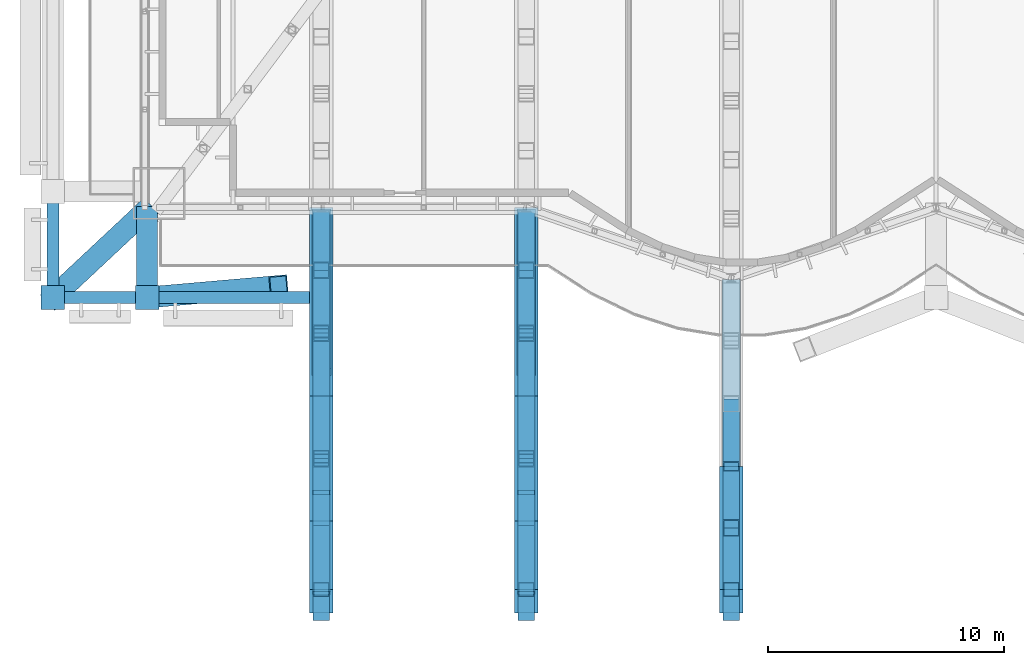
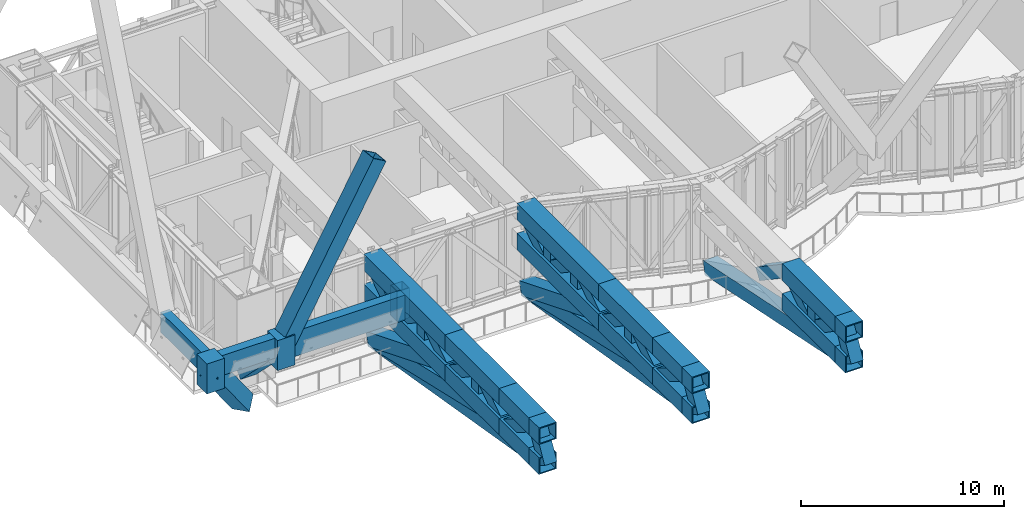
# One storey, part 5 of 30: 57 members, 3 beams.
"""IFC4 building model written with IfcOpenShell, lengths in metres."""

from ifc_helpers import new_model, si_unit, direction, frame, origin, origin_2d, place, context, subcontext, project, spatial, rectangle, hollow_rectangle, extrude, material, material_profile, profile_set, type_object, element, save


model = new_model("IFC4")

# Units and contexts
model_context = context("Model", 3, precision=1e-05, world=origin(), true_north=direction((0.0, 1.0)))
body_context = subcontext(model_context, "Body", "Model", "MODEL_VIEW")
ifc_project = project(units=[si_unit("LENGTHUNIT", "METRE"), si_unit("AREAUNIT", "SQUARE_METRE"), si_unit("VOLUMEUNIT", "CUBIC_METRE"), si_unit("PLANEANGLEUNIT", "RADIAN"), si_unit("MASSUNIT", "GRAM", prefix="KILO")], contexts=[model_context])

# Site, building, storey
site_placement = place(None, origin())
site = spatial("IfcSite", under=ifc_project, at=site_placement, CompositionType="ELEMENT")
building_placement = place(site_placement, origin())
building = spatial("IfcBuilding", under=site, at=building_placement, Name="Bicima Exchange Tower", CompositionType="ELEMENT")
storey_placement = place(building_placement, frame((0.0, 0.0, 287.60009765625)))
storey = spatial("IfcBuildingStorey", under=building, at=storey_placement, Name="L65", CompositionType="ELEMENT", Elevation=287.60009765625)

# Beams
ifc_material_1 = material(Name="Steel ASTM A572 Gr 50", Category="steel")
ifc_material_profile_1 = material_profile(ifc_material_1, hollow_rectangle(XDim=0.5, YDim=1.199951171875, WallThickness=0.0400390625, at=origin_2d()))
ifc_profile_set_1 = profile_set([ifc_material_profile_1], Name="Steel ASTM A572 Gr 50")
beam_type_1 = type_object("IfcBeamType", Name="Belt girder BOX 500x1200x40", PredefinedType="BEAM", material=ifc_profile_set_1)
beam_1_placement = place(storey_placement, frame((-37.5, -28.900634765625, 4.64990234375), z_axis=(1.0, 0.0, 0.0), x_axis=(0.0, 1.0, 0.0)))
element("IfcBeam", 1, at=beam_1_placement, inside=storey, type_object=beam_type_1, Name="Belt girder", PredefinedType="BEAM", context=body_context, shape_type="SweptSolid", body=[
    extrude(hollow_rectangle(XDim=0.5, YDim=1.199951171875, WallThickness=0.0400390625, at=origin_2d()), origin(), (0.0, 0.0, 1.0), 4.0),
])
beam_2_placement = place(storey_placement, frame((-37.5, -24.400634765625, 4.64990234375), z_axis=(0.0, -1.0, 0.0), x_axis=(1.0, 0.0, 0.0)))
element("IfcBeam", 2, at=beam_2_placement, inside=storey, type_object=beam_type_1, Name="Belt girder", PredefinedType="BEAM", context=body_context, shape_type="SweptSolid", body=[
    extrude(hollow_rectangle(XDim=0.5, YDim=1.199951171875, WallThickness=0.0400390625, at=origin_2d()), origin(), (0.0, 0.0, 1.0), 4.5),
])
ifc_material_profile_2 = material_profile(ifc_material_1, hollow_rectangle(XDim=0.5, YDim=1.5, WallThickness=0.050048828125, at=origin_2d()))
ifc_profile_set_2 = profile_set([ifc_material_profile_2], Name="Steel ASTM A572 Gr 50")
beam_type_2 = type_object("IfcBeamType", Name="Belt girder BOX 500x1500x50", PredefinedType="BEAM", material=ifc_profile_set_2)
beam_3_placement = place(storey_placement, frame((-33.5, -28.900634765625, 4.5), z_axis=(1.0, 0.0, 0.0), x_axis=(0.0, 1.0, 0.0)))
element("IfcBeam", 3, at=beam_3_placement, inside=storey, type_object=beam_type_2, Name="Belt girder", PredefinedType="BEAM", context=body_context, shape_type="SweptSolid", body=[
    extrude(hollow_rectangle(XDim=0.5, YDim=1.5, WallThickness=0.050048828125, at=origin_2d()), origin(), (0.0, 0.0, 1.0), 6.89990234375),
])

# Members
ifc_material_profile_3 = material_profile(ifc_material_1, hollow_rectangle(XDim=0.89990234375, YDim=0.89990234375, WallThickness=0.050048828125, at=origin_2d()))
ifc_profile_set_3 = profile_set([ifc_material_profile_3], Name="Steel ASTM A572 Gr 50")
member_type_1 = type_object("IfcMemberType", Name="Exo mega brace BOX 900x900x50", PredefinedType="BRACE", material=ifc_profile_set_3)
member_1_placement = place(storey_placement, frame((-33.5, -28.900634765625, 4.5), z_axis=(0.520687826351, 0.04546825787, 0.852535527128), x_axis=(-0.086992405552, 0.996208974752, 0.0)))
element("IfcMember", 4, at=member_1_placement, inside=storey, type_object=member_type_1, Name="Exo mega brace front", PredefinedType="BRACE", context=body_context, shape_type="SweptSolid", body=[
    extrude(hollow_rectangle(XDim=0.89990234375, YDim=0.89990234375, WallThickness=0.050048828125, at=origin_2d()), origin(), (0.0, 0.0, 1.0), 10.722900390625),
])
ifc_material_2 = material(Name="Cast steel ASTM A216 Gr WCB", Category="steel")
ifc_material_profile_4 = material_profile(ifc_material_2, rectangle(XDim=1.0, YDim=1.0, at=origin_2d()))
ifc_profile_set_4 = profile_set([ifc_material_profile_4], Name="Cast steel ASTM A216 Gr WCB")
member_type_2 = type_object("IfcMemberType", Name="Exo node block", PredefinedType="POST", material=ifc_profile_set_4)
for number, where, z_axis, x_axis, name in (
    (5, (-37.5, -28.900634765625, 3.449951171875), (0.0, 0.0, 1.0), (1.0, 0.0, 0.0), "Exo node block"),
    (6, (-33.5, -28.900634765625, 3.449951171875), (0.0, 0.0, 1.0), (1.0, 0.0, 0.0), "Exo node block"),
):
    element("IfcMember", number, at=place(storey_placement, frame(where, z_axis=z_axis, x_axis=x_axis)), inside=storey, type_object=member_type_2, Name=name, PredefinedType="POST", context=body_context, shape_type="SweptSolid", body=[
        extrude(rectangle(XDim=1.0, YDim=1.0, at=origin_2d()), origin(), (0.0, 0.0, 1.0), 1.800048828125),
    ])
member_type_3 = type_object("IfcMemberType", Name="Exo outrigger stub BOX 900x900x50", PredefinedType="STRUT", material=ifc_profile_set_3)
member_2_placement = place(storey_placement, frame((-33.565673828125, -25.218994140625, -1.08837890625), z_axis=(-0.506808187845, -0.474257987757, 0.71987833818), x_axis=(0.683270143381, -0.730165673779, 0.0)))
element("IfcMember", 7, at=member_2_placement, inside=storey, type_object=member_type_3, Name="Exo outrigger stub", PredefinedType="STRUT", context=body_context, shape_type="SweptSolid", body=[
    extrude(hollow_rectangle(XDim=0.89990234375, YDim=0.89990234375, WallThickness=0.050048828125, at=origin_2d()), origin(), (0.0, 0.0, 1.0), 7.762939453125),
])
member_3_placement = place(storey_placement, frame((-33.5, -25.360595703125, 0.9599609375), z_axis=(0.0, -0.707106781187, 0.707106781187), x_axis=(1.0, 0.0, 0.0)))
element("IfcMember", 8, at=member_3_placement, inside=storey, type_object=member_type_3, Name="Exo outrigger stub", PredefinedType="STRUT", context=body_context, shape_type="SweptSolid", body=[
    extrude(hollow_rectangle(XDim=0.89990234375, YDim=0.89990234375, WallThickness=0.050048828125, at=origin_2d()), origin(), (0.0, 0.0, 1.0), 5.00634765625),
])
ifc_material_profile_5 = material_profile(ifc_material_1, hollow_rectangle(XDim=1.0, YDim=1.0, WallThickness=0.06005859375, at=origin_2d()))
ifc_profile_set_5 = profile_set([ifc_material_profile_5], Name="Steel ASTM A572 Gr 50")
member_type_4 = type_object("IfcMemberType", Name="Pool cantilever truss chord BOX 1000x1000x60", PredefinedType="CHORD", material=ifc_profile_set_5)
for number, where, z_axis, x_axis, name in (
    (9, (-26.10009765625, -25.08203125, 4.75), (0.0, -1.0, 0.0), (1.0, 0.0, 0.0), "Top chord"),
    (10, (-26.10009765625, -25.08203125, 2.949951171875), (0.0, -1.0, 0.0), (1.0, 0.0, 0.0), "Bottom chord"),
):
    element("IfcMember", number, at=place(storey_placement, frame(where, z_axis=z_axis, x_axis=x_axis)), inside=storey, type_object=member_type_4, Name=name, PredefinedType="CHORD", context=body_context, shape_type="SweptSolid", body=[
        extrude(hollow_rectangle(XDim=1.0, YDim=1.0, WallThickness=0.06005859375, at=origin_2d()), origin(), (0.0, 0.0, 1.0), 8.0),
    ])
for number, where, z_axis, x_axis, name in (
    (11, (-26.10009765625, -33.08203125, 4.75), (0.0, -1.0, 0.0), (1.0, 0.0, 0.0), "Top chord"),
    (12, (-26.10009765625, -33.08203125, 2.949951171875), (0.0, -1.0, 0.0), (1.0, 0.0, 0.0), "Bottom chord"),
):
    element("IfcMember", number, at=place(storey_placement, frame(where, z_axis=z_axis, x_axis=x_axis)), inside=storey, type_object=member_type_4, Name=name, PredefinedType="CHORD", context=body_context, shape_type="SweptSolid", body=[
        extrude(hollow_rectangle(XDim=1.0, YDim=1.0, WallThickness=0.06005859375, at=origin_2d()), origin(), (0.0, 0.0, 1.0), 5.313232421875),
    ])
for number, where, z_axis, x_axis, name in (
    (13, (-26.10009765625, -38.395263671875, 4.75), (0.0, -1.0, 0.0), (1.0, 0.0, 0.0), "Top chord"),
    (14, (-26.10009765625, -38.395263671875, 2.949951171875), (0.0, -1.0, 0.0), (1.0, 0.0, 0.0), "Bottom chord"),
):
    element("IfcMember", number, at=place(storey_placement, frame(where, z_axis=z_axis, x_axis=x_axis)), inside=storey, type_object=member_type_4, Name=name, PredefinedType="CHORD", context=body_context, shape_type="SweptSolid", body=[
        extrude(hollow_rectangle(XDim=1.0, YDim=1.0, WallThickness=0.06005859375, at=origin_2d()), origin(), (0.0, 0.0, 1.0), 2.90576171875),
    ])
for number, where, z_axis, x_axis, name in (
    (15, (-26.10009765625, -41.301025390625, 4.75), (0.0, -1.0, 0.0), (1.0, 0.0, 0.0), "Top chord"),
    (16, (-26.10009765625, -41.301025390625, 2.949951171875), (0.0, -1.0, 0.0), (1.0, 0.0, 0.0), "Bottom chord"),
):
    element("IfcMember", number, at=place(storey_placement, frame(where, z_axis=z_axis, x_axis=x_axis)), inside=storey, type_object=member_type_4, Name=name, PredefinedType="CHORD", context=body_context, shape_type="SweptSolid", body=[
        extrude(hollow_rectangle(XDim=1.0, YDim=1.0, WallThickness=0.06005859375, at=origin_2d()), origin(), (0.0, 0.0, 1.0), 1.0),
    ])
for number, where, z_axis, x_axis, name in (
    (17, (-17.39990234375, -25.08203125, 4.75), (0.0, -1.0, 0.0), (1.0, 0.0, 0.0), "Top chord"),
    (18, (-17.39990234375, -25.08203125, 2.949951171875), (0.0, -1.0, 0.0), (1.0, 0.0, 0.0), "Bottom chord"),
):
    element("IfcMember", number, at=place(storey_placement, frame(where, z_axis=z_axis, x_axis=x_axis)), inside=storey, type_object=member_type_4, Name=name, PredefinedType="CHORD", context=body_context, shape_type="SweptSolid", body=[
        extrude(hollow_rectangle(XDim=1.0, YDim=1.0, WallThickness=0.06005859375, at=origin_2d()), origin(), (0.0, 0.0, 1.0), 8.0),
    ])
for number, where, z_axis, x_axis, name in (
    (19, (-17.39990234375, -33.08203125, 4.75), (0.0, -1.0, 0.0), (1.0, 0.0, 0.0), "Top chord"),
    (20, (-17.39990234375, -33.08203125, 2.949951171875), (0.0, -1.0, 0.0), (1.0, 0.0, 0.0), "Bottom chord"),
):
    element("IfcMember", number, at=place(storey_placement, frame(where, z_axis=z_axis, x_axis=x_axis)), inside=storey, type_object=member_type_4, Name=name, PredefinedType="CHORD", context=body_context, shape_type="SweptSolid", body=[
        extrude(hollow_rectangle(XDim=1.0, YDim=1.0, WallThickness=0.06005859375, at=origin_2d()), origin(), (0.0, 0.0, 1.0), 5.313232421875),
    ])
for number, where, z_axis, x_axis, name in (
    (21, (-17.39990234375, -38.395263671875, 4.75), (0.0, -1.0, 0.0), (1.0, 0.0, 0.0), "Top chord"),
    (22, (-17.39990234375, -38.395263671875, 2.949951171875), (0.0, -1.0, 0.0), (1.0, 0.0, 0.0), "Bottom chord"),
):
    element("IfcMember", number, at=place(storey_placement, frame(where, z_axis=z_axis, x_axis=x_axis)), inside=storey, type_object=member_type_4, Name=name, PredefinedType="CHORD", context=body_context, shape_type="SweptSolid", body=[
        extrude(hollow_rectangle(XDim=1.0, YDim=1.0, WallThickness=0.06005859375, at=origin_2d()), origin(), (0.0, 0.0, 1.0), 2.90576171875),
    ])
for number, where, z_axis, x_axis, name in (
    (23, (-17.39990234375, -41.301025390625, 4.75), (0.0, -1.0, 0.0), (1.0, 0.0, 0.0), "Top chord"),
    (24, (-17.39990234375, -41.301025390625, 2.949951171875), (0.0, -1.0, 0.0), (1.0, 0.0, 0.0), "Bottom chord"),
):
    element("IfcMember", number, at=place(storey_placement, frame(where, z_axis=z_axis, x_axis=x_axis)), inside=storey, type_object=member_type_4, Name=name, PredefinedType="CHORD", context=body_context, shape_type="SweptSolid", body=[
        extrude(hollow_rectangle(XDim=1.0, YDim=1.0, WallThickness=0.06005859375, at=origin_2d()), origin(), (0.0, 0.0, 1.0), 1.0),
    ])
for number, where, z_axis, x_axis, name in (
    (25, (-8.699951171875, -36.072998046875, 4.75), (0.0, -1.0, 0.0), (1.0, 0.0, 0.0), "Top chord"),
    (26, (-8.699951171875, -36.072998046875, 2.949951171875), (0.0, -1.0, 0.0), (1.0, 0.0, 0.0), "Bottom chord"),
):
    element("IfcMember", number, at=place(storey_placement, frame(where, z_axis=z_axis, x_axis=x_axis)), inside=storey, type_object=member_type_4, Name=name, PredefinedType="CHORD", context=body_context, shape_type="SweptSolid", body=[
        extrude(hollow_rectangle(XDim=1.0, YDim=1.0, WallThickness=0.06005859375, at=origin_2d()), origin(), (0.0, 0.0, 1.0), 5.22802734375),
    ])
for number, where, z_axis, x_axis, name in (
    (27, (-8.699951171875, -41.301025390625, 4.75), (0.0, -1.0, 0.0), (1.0, 0.0, 0.0), "Top chord"),
    (28, (-8.699951171875, -41.301025390625, 2.949951171875), (0.0, -1.0, 0.0), (1.0, 0.0, 0.0), "Bottom chord"),
):
    element("IfcMember", number, at=place(storey_placement, frame(where, z_axis=z_axis, x_axis=x_axis)), inside=storey, type_object=member_type_4, Name=name, PredefinedType="CHORD", context=body_context, shape_type="SweptSolid", body=[
        extrude(hollow_rectangle(XDim=1.0, YDim=1.0, WallThickness=0.06005859375, at=origin_2d()), origin(), (0.0, 0.0, 1.0), 1.0),
    ])
ifc_material_profile_6 = material_profile(ifc_material_1, hollow_rectangle(XDim=0.699951171875, YDim=0.699951171875, WallThickness=0.0400390625, at=origin_2d()))
ifc_profile_set_6 = profile_set([ifc_material_profile_6], Name="Steel ASTM A572 Gr 50")
member_type_5 = type_object("IfcMemberType", Name="Pool cantilever truss diagonal BOX 700x700x40", PredefinedType="STRUT", material=ifc_profile_set_6)
member_4_placement = place(storey_placement, frame((-26.10009765625, -25.08203125, 4.75), z_axis=(0.0, -0.828849553761, -0.559471551761), x_axis=(1.0, 0.0, 0.0)))
element("IfcMember", 29, at=member_4_placement, inside=storey, type_object=member_type_5, Name="Truss diagonal", PredefinedType="STRUT", context=body_context, shape_type="SweptSolid", body=[
    extrude(hollow_rectangle(XDim=0.699951171875, YDim=0.699951171875, WallThickness=0.0400390625, at=origin_2d()), origin(), (0.0, 0.0, 1.0), 3.217529296875),
])
member_5_placement = place(storey_placement, frame((-26.10009765625, -27.748779296875, 2.949951171875), z_axis=(0.0, -0.828825800089, 0.559506740895), x_axis=(1.0, 0.0, 0.0)))
element("IfcMember", 30, at=member_5_placement, inside=storey, type_object=member_type_5, Name="Truss diagonal", PredefinedType="STRUT", context=body_context, shape_type="SweptSolid", body=[
    extrude(hollow_rectangle(XDim=0.699951171875, YDim=0.699951171875, WallThickness=0.0400390625, at=origin_2d()), origin(), (0.0, 0.0, 1.0), 3.21728515625),
])
member_6_placement = place(storey_placement, frame((-26.10009765625, -30.415283203125, 4.75), z_axis=(0.0, -0.828849553761, -0.559471551761), x_axis=(1.0, 0.0, 0.0)))
element("IfcMember", 31, at=member_6_placement, inside=storey, type_object=member_type_5, Name="Truss diagonal", PredefinedType="STRUT", context=body_context, shape_type="SweptSolid", body=[
    extrude(hollow_rectangle(XDim=0.699951171875, YDim=0.699951171875, WallThickness=0.0400390625, at=origin_2d()), origin(), (0.0, 0.0, 1.0), 3.217529296875),
])
member_7_placement = place(storey_placement, frame((-26.10009765625, -33.08203125, 2.949951171875), z_axis=(0.0, -0.827871966889, 0.560917111916), x_axis=(1.0, 0.0, 0.0)))
element("IfcMember", 32, at=member_7_placement, inside=storey, type_object=member_type_5, Name="Truss diagonal", PredefinedType="STRUT", context=body_context, shape_type="SweptSolid", body=[
    extrude(hollow_rectangle(XDim=0.699951171875, YDim=0.699951171875, WallThickness=0.0400390625, at=origin_2d()), origin(), (0.0, 0.0, 1.0), 3.209228515625),
])
member_8_placement = place(storey_placement, frame((-26.10009765625, -35.73876953125, 4.75), z_axis=(0.0, -0.827848028613, -0.560952441408), x_axis=(1.0, 0.0, 0.0)))
element("IfcMember", 33, at=member_8_placement, inside=storey, type_object=member_type_5, Name="Truss diagonal", PredefinedType="STRUT", context=body_context, shape_type="SweptSolid", body=[
    extrude(hollow_rectangle(XDim=0.699951171875, YDim=0.699951171875, WallThickness=0.0400390625, at=origin_2d()), origin(), (0.0, 0.0, 1.0), 3.208984375),
])
member_9_placement = place(storey_placement, frame((-26.10009765625, -38.395263671875, 2.949951171875), z_axis=(0.0, -0.850102233202, 0.526617691598), x_axis=(1.0, 0.0, 0.0)))
element("IfcMember", 34, at=member_9_placement, inside=storey, type_object=member_type_5, Name="Truss diagonal", PredefinedType="STRUT", context=body_context, shape_type="SweptSolid", body=[
    extrude(hollow_rectangle(XDim=0.699951171875, YDim=0.699951171875, WallThickness=0.0400390625, at=origin_2d()), origin(), (0.0, 0.0, 1.0), 3.418212890625),
])
member_10_placement = place(storey_placement, frame((-26.10009765625, -41.301025390625, 4.75), z_axis=(0.0, -0.485632864501, -0.874162868644), x_axis=(1.0, 0.0, 0.0)))
element("IfcMember", 35, at=member_10_placement, inside=storey, type_object=member_type_5, Name="Truss diagonal", PredefinedType="STRUT", context=body_context, shape_type="SweptSolid", body=[
    extrude(hollow_rectangle(XDim=0.699951171875, YDim=0.699951171875, WallThickness=0.0400390625, at=origin_2d()), origin(), (0.0, 0.0, 1.0), 2.05908203125),
])
member_11_placement = place(storey_placement, frame((-17.39990234375, -25.08203125, 4.75), z_axis=(0.0, -0.828849553761, -0.559471551761), x_axis=(1.0, 0.0, 0.0)))
element("IfcMember", 36, at=member_11_placement, inside=storey, type_object=member_type_5, Name="Truss diagonal", PredefinedType="STRUT", context=body_context, shape_type="SweptSolid", body=[
    extrude(hollow_rectangle(XDim=0.699951171875, YDim=0.699951171875, WallThickness=0.0400390625, at=origin_2d()), origin(), (0.0, 0.0, 1.0), 3.217529296875),
])
member_12_placement = place(storey_placement, frame((-17.39990234375, -27.748779296875, 2.949951171875), z_axis=(0.0, -0.828825800089, 0.559506740895), x_axis=(1.0, 0.0, 0.0)))
element("IfcMember", 37, at=member_12_placement, inside=storey, type_object=member_type_5, Name="Truss diagonal", PredefinedType="STRUT", context=body_context, shape_type="SweptSolid", body=[
    extrude(hollow_rectangle(XDim=0.699951171875, YDim=0.699951171875, WallThickness=0.0400390625, at=origin_2d()), origin(), (0.0, 0.0, 1.0), 3.21728515625),
])
member_13_placement = place(storey_placement, frame((-17.39990234375, -30.415283203125, 4.75), z_axis=(0.0, -0.828849553761, -0.559471551761), x_axis=(1.0, 0.0, 0.0)))
element("IfcMember", 38, at=member_13_placement, inside=storey, type_object=member_type_5, Name="Truss diagonal", PredefinedType="STRUT", context=body_context, shape_type="SweptSolid", body=[
    extrude(hollow_rectangle(XDim=0.699951171875, YDim=0.699951171875, WallThickness=0.0400390625, at=origin_2d()), origin(), (0.0, 0.0, 1.0), 3.217529296875),
])
member_14_placement = place(storey_placement, frame((-17.39990234375, -33.08203125, 2.949951171875), z_axis=(0.0, -0.827871966889, 0.560917111916), x_axis=(1.0, 0.0, 0.0)))
element("IfcMember", 39, at=member_14_placement, inside=storey, type_object=member_type_5, Name="Truss diagonal", PredefinedType="STRUT", context=body_context, shape_type="SweptSolid", body=[
    extrude(hollow_rectangle(XDim=0.699951171875, YDim=0.699951171875, WallThickness=0.0400390625, at=origin_2d()), origin(), (0.0, 0.0, 1.0), 3.209228515625),
])
member_15_placement = place(storey_placement, frame((-17.39990234375, -35.73876953125, 4.75), z_axis=(0.0, -0.827848028613, -0.560952441408), x_axis=(1.0, 0.0, 0.0)))
element("IfcMember", 40, at=member_15_placement, inside=storey, type_object=member_type_5, Name="Truss diagonal", PredefinedType="STRUT", context=body_context, shape_type="SweptSolid", body=[
    extrude(hollow_rectangle(XDim=0.699951171875, YDim=0.699951171875, WallThickness=0.0400390625, at=origin_2d()), origin(), (0.0, 0.0, 1.0), 3.208984375),
])
member_16_placement = place(storey_placement, frame((-17.39990234375, -38.395263671875, 2.949951171875), z_axis=(0.0, -0.850102233202, 0.526617691598), x_axis=(1.0, 0.0, 0.0)))
element("IfcMember", 41, at=member_16_placement, inside=storey, type_object=member_type_5, Name="Truss diagonal", PredefinedType="STRUT", context=body_context, shape_type="SweptSolid", body=[
    extrude(hollow_rectangle(XDim=0.699951171875, YDim=0.699951171875, WallThickness=0.0400390625, at=origin_2d()), origin(), (0.0, 0.0, 1.0), 3.418212890625),
])
member_17_placement = place(storey_placement, frame((-17.39990234375, -41.301025390625, 4.75), z_axis=(0.0, -0.485632864501, -0.874162868644), x_axis=(1.0, 0.0, 0.0)))
element("IfcMember", 42, at=member_17_placement, inside=storey, type_object=member_type_5, Name="Truss diagonal", PredefinedType="STRUT", context=body_context, shape_type="SweptSolid", body=[
    extrude(hollow_rectangle(XDim=0.699951171875, YDim=0.699951171875, WallThickness=0.0400390625, at=origin_2d()), origin(), (0.0, 0.0, 1.0), 2.05908203125),
])
member_18_placement = place(storey_placement, frame((-8.699951171875, -33.406494140625, 2.949951171875), z_axis=(0.0, -0.828825800089, 0.559506740895), x_axis=(1.0, 0.0, 0.0)))
element("IfcMember", 43, at=member_18_placement, inside=storey, type_object=member_type_5, Name="Truss diagonal", PredefinedType="STRUT", context=body_context, shape_type="SweptSolid", body=[
    extrude(hollow_rectangle(XDim=0.699951171875, YDim=0.699951171875, WallThickness=0.0400390625, at=origin_2d()), origin(), (0.0, 0.0, 1.0), 3.21728515625),
])
for number, where, z_axis, x_axis, name in (
    (44, (-8.699951171875, -36.072998046875, 4.75), (0.0, -0.823613001502, -0.567152205106), (1.0, 0.0, 0.0), "Truss diagonal"),
    (45, (-8.699951171875, -38.68701171875, 2.949951171875), (0.0, -0.823613001502, 0.567152205106), (1.0, 0.0, 0.0), "Truss diagonal"),
):
    element("IfcMember", number, at=place(storey_placement, frame(where, z_axis=z_axis, x_axis=x_axis)), inside=storey, type_object=member_type_5, Name=name, PredefinedType="STRUT", context=body_context, shape_type="SweptSolid", body=[
        extrude(hollow_rectangle(XDim=0.699951171875, YDim=0.699951171875, WallThickness=0.0400390625, at=origin_2d()), origin(), (0.0, 0.0, 1.0), 3.173828125),
    ])
member_19_placement = place(storey_placement, frame((-8.699951171875, -41.301025390625, 4.75), z_axis=(0.0, -0.485632864501, -0.874162868644), x_axis=(1.0, 0.0, 0.0)))
element("IfcMember", 46, at=member_19_placement, inside=storey, type_object=member_type_5, Name="Truss diagonal", PredefinedType="STRUT", context=body_context, shape_type="SweptSolid", body=[
    extrude(hollow_rectangle(XDim=0.699951171875, YDim=0.699951171875, WallThickness=0.0400390625, at=origin_2d()), origin(), (0.0, 0.0, 1.0), 2.05908203125),
])
member_type_6 = type_object("IfcMemberType", Name="Pool cantilever truss post BOX 700x700x40", PredefinedType="POST", material=ifc_profile_set_6)
for number, where, z_axis, x_axis, name in (
    (47, (-26.10009765625, -27.748779296875, 2.949951171875), (0.0, 0.0, 1.0), (1.0, 0.0, 0.0), "Truss post"),
    (48, (-26.10009765625, -30.415283203125, 2.949951171875), (0.0, 0.0, 1.0), (1.0, 0.0, 0.0), "Truss post"),
    (49, (-26.10009765625, -35.73876953125, 2.949951171875), (0.0, 0.0, 1.0), (1.0, 0.0, 0.0), "Truss post"),
    (50, (-17.39990234375, -27.748779296875, 2.949951171875), (0.0, 0.0, 1.0), (1.0, 0.0, 0.0), "Truss post"),
    (51, (-17.39990234375, -30.415283203125, 2.949951171875), (0.0, 0.0, 1.0), (1.0, 0.0, 0.0), "Truss post"),
    (52, (-17.39990234375, -35.73876953125, 2.949951171875), (0.0, 0.0, 1.0), (1.0, 0.0, 0.0), "Truss post"),
    (53, (-8.699951171875, -38.68701171875, 2.949951171875), (0.0, 0.0, 1.0), (1.0, 0.0, 0.0), "Truss post"),
):
    element("IfcMember", number, at=place(storey_placement, frame(where, z_axis=z_axis, x_axis=x_axis)), inside=storey, type_object=member_type_6, Name=name, PredefinedType="POST", context=body_context, shape_type="SweptSolid", body=[
        extrude(hollow_rectangle(XDim=0.699951171875, YDim=0.699951171875, WallThickness=0.0400390625, at=origin_2d()), origin(), (0.0, 0.0, 1.0), 1.800048828125),
    ])
ifc_material_profile_7 = material_profile(ifc_material_1, hollow_rectangle(XDim=0.800048828125, YDim=0.800048828125, WallThickness=0.050048828125, at=origin_2d()))
ifc_profile_set_7 = profile_set([ifc_material_profile_7], Name="Steel ASTM A572 Gr 50")
member_type_7 = type_object("IfcMemberType", Name="Pool knee brace BOX 800x800x50", PredefinedType="BRACE", material=ifc_profile_set_7)
member_20_placement = place(storey_placement, frame((-26.10009765625, -25.23193359375, 0.208251953125), z_axis=(0.0, -0.927976974089, 0.37263753912), x_axis=(1.0, 0.0, 0.0)))
element("IfcMember", 54, at=member_20_placement, inside=storey, type_object=member_type_7, Name="Pool knee brace", PredefinedType="BRACE", context=body_context, shape_type="SweptSolid", body=[
    extrude(hollow_rectangle(XDim=0.800048828125, YDim=0.800048828125, WallThickness=0.050048828125, at=origin_2d()), origin(), (0.0, 0.0, 1.0), 7.357666015625),
])
member_21_placement = place(storey_placement, frame((-26.10009765625, -25.23193359375, 0.208251953125), z_axis=(0.0, -0.974670038487, 0.223647749989), x_axis=(1.0, 0.0, 0.0)))
element("IfcMember", 55, at=member_21_placement, inside=storey, type_object=member_type_7, Name="Pool knee brace", PredefinedType="BRACE", context=body_context, shape_type="SweptSolid", body=[
    extrude(hollow_rectangle(XDim=0.800048828125, YDim=0.800048828125, WallThickness=0.050048828125, at=origin_2d()), origin(), (0.0, 0.0, 1.0), 12.259033203125),
])
member_22_placement = place(storey_placement, frame((-26.10009765625, -25.23193359375, 0.208251953125), z_axis=(0.0, -0.986005636016, 0.166711984409), x_axis=(1.0, 0.0, 0.0)))
element("IfcMember", 56, at=member_22_placement, inside=storey, type_object=member_type_7, Name="Pool knee brace", PredefinedType="BRACE", context=body_context, shape_type="SweptSolid", body=[
    extrude(hollow_rectangle(XDim=0.800048828125, YDim=0.800048828125, WallThickness=0.050048828125, at=origin_2d()), origin(), (0.0, 0.0, 1.0), 16.44580078125),
])
member_23_placement = place(storey_placement, frame((-17.39990234375, -25.23193359375, 0.208251953125), z_axis=(0.0, -0.927976974089, 0.37263753912), x_axis=(1.0, 0.0, 0.0)))
element("IfcMember", 57, at=member_23_placement, inside=storey, type_object=member_type_7, Name="Pool knee brace", PredefinedType="BRACE", context=body_context, shape_type="SweptSolid", body=[
    extrude(hollow_rectangle(XDim=0.800048828125, YDim=0.800048828125, WallThickness=0.050048828125, at=origin_2d()), origin(), (0.0, 0.0, 1.0), 7.357666015625),
])
member_24_placement = place(storey_placement, frame((-17.39990234375, -25.23193359375, 0.208251953125), z_axis=(0.0, -0.974670038487, 0.223647749989), x_axis=(1.0, 0.0, 0.0)))
element("IfcMember", 58, at=member_24_placement, inside=storey, type_object=member_type_7, Name="Pool knee brace", PredefinedType="BRACE", context=body_context, shape_type="SweptSolid", body=[
    extrude(hollow_rectangle(XDim=0.800048828125, YDim=0.800048828125, WallThickness=0.050048828125, at=origin_2d()), origin(), (0.0, 0.0, 1.0), 12.259033203125),
])
member_25_placement = place(storey_placement, frame((-17.39990234375, -25.23193359375, 0.208251953125), z_axis=(0.0, -0.986005636016, 0.166711984409), x_axis=(1.0, 0.0, 0.0)))
element("IfcMember", 59, at=member_25_placement, inside=storey, type_object=member_type_7, Name="Pool knee brace", PredefinedType="BRACE", context=body_context, shape_type="SweptSolid", body=[
    extrude(hollow_rectangle(XDim=0.800048828125, YDim=0.800048828125, WallThickness=0.050048828125, at=origin_2d()), origin(), (0.0, 0.0, 1.0), 16.44580078125),
])
member_26_placement = place(storey_placement, frame((-8.699951171875, -28.22314453125, 0.208251953125), z_axis=(0.0, -0.979627063869, 0.200825336387), x_axis=(1.0, 0.0, 0.0)))
element("IfcMember", 60, at=member_26_placement, inside=storey, type_object=member_type_7, Name="Pool knee brace", PredefinedType="BRACE", context=body_context, shape_type="SweptSolid", body=[
    extrude(hollow_rectangle(XDim=0.800048828125, YDim=0.800048828125, WallThickness=0.050048828125, at=origin_2d()), origin(), (0.0, 0.0, 1.0), 13.652099609375),
])

save(model, "model.ifc")
